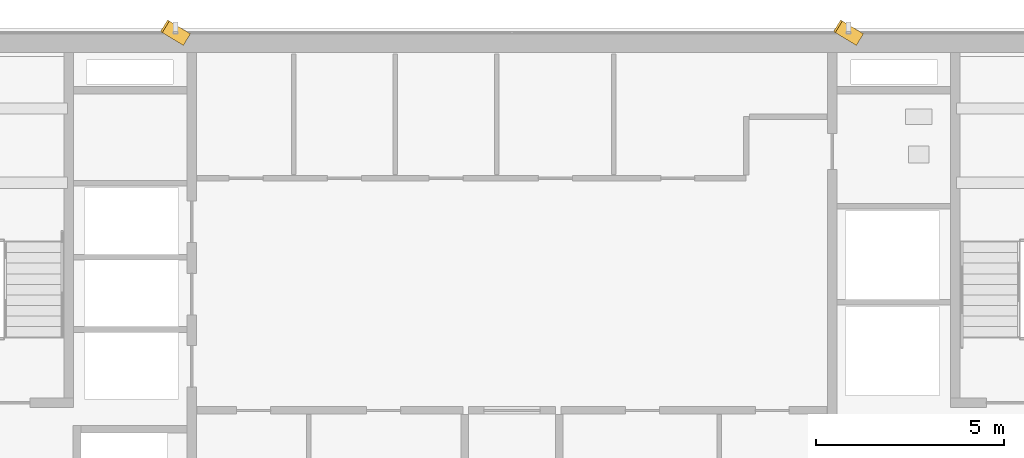
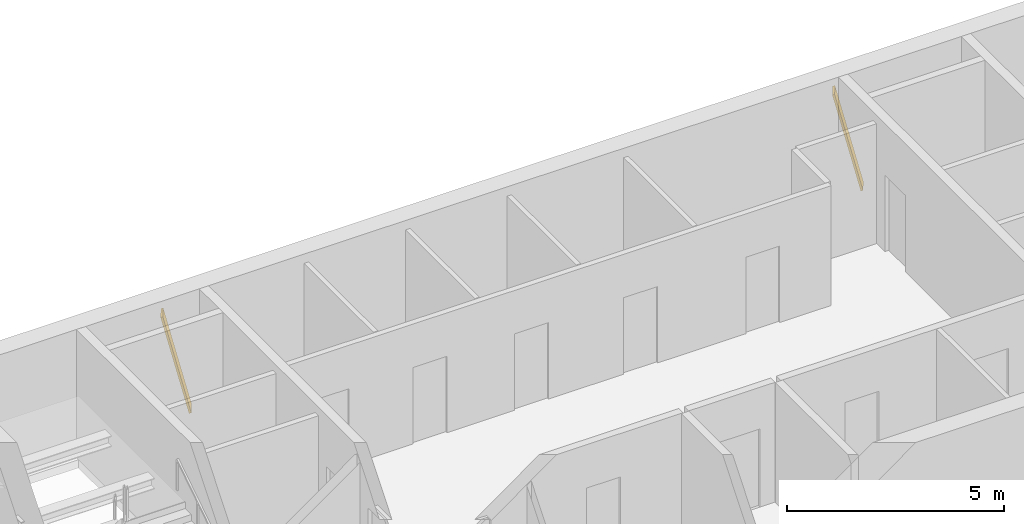
# One storey, part 26 of 27: 2 shading devices.
"""IFC4 building model written with IfcOpenShell, lengths in metres."""

from ifc_helpers import new_model, si_unit, direction, frame, origin, origin_2d, place, context, subcontext, project, spatial, rectangle, extrude, source, transform, mapped, material, material_profile, profile_set, type_object, element, save


model = new_model("IFC4")

# Units and contexts
model_context = context("Model", 3, precision=1e-05, world=origin(), true_north=direction((0.0, 1.0)))
body_context = subcontext(model_context, "Body", "Model", "MODEL_VIEW")
ifc_project = project(units=[si_unit("LENGTHUNIT", "METRE"), si_unit("AREAUNIT", "SQUARE_METRE"), si_unit("VOLUMEUNIT", "CUBIC_METRE"), si_unit("PLANEANGLEUNIT", "RADIAN"), si_unit("MASSUNIT", "GRAM", prefix="KILO")], contexts=[model_context])

# Site, building, storey
site_placement = place(None, origin())
site = spatial("IfcSite", under=ifc_project, at=site_placement, CompositionType="ELEMENT")
building_placement = place(site_placement, origin())
building = spatial("IfcBuilding", under=site, at=building_placement, Name="Sumidabori Civic Tower", CompositionType="ELEMENT")
storey_placement = place(building_placement, frame((0.0, 0.0, 257.60009765625)))
storey = spatial("IfcBuildingStorey", under=building, at=storey_placement, Name="L67", CompositionType="ELEMENT", Elevation=257.60009765625)

# Shading devices
ifc_material = material(Name="Anodised Bronze Aluminium AW-6063-T6", Category="aluminium")
ifc_material_profile = material_profile(ifc_material, rectangle(XDim=0.054931640625, YDim=0.360107421875, at=origin_2d()), Name="BRONZE FIN 360x55")
ifc_profile_set = profile_set([ifc_material_profile], Name="Anodised Bronze Aluminium AW-6063-T6")
shading_device_type = type_object("IfcShadingDeviceType", Name="SH-FIN-360", PredefinedType="USERDEFINED", material=ifc_profile_set)
shared_shape = source(origin(), body_context, "Body", "SweptSolid", [
    extrude(rectangle(XDim=0.054931640625, YDim=0.360107421875, at=origin_2d()), origin(), (0.0, 0.0, 1.0), 2.7685546875),
])
for number, where, z_axis, x_axis, name in (
    (1, (9.215087890625, 23.909912109375, 0.02001953125), (-0.202289930374, 0.122837782481, 0.971591304646), (0.830469701518, -0.504291322674, 0.236665030656), "Bronze Anodised Diagonal Fin L67-01"),
    (2, (-8.655029296875, 23.909912109375, 0.02001953125), (-0.202289930374, 0.122837782481, 0.971591304646), (0.830469701518, -0.504291322674, 0.236665030656), "Bronze Anodised Diagonal Fin L67-03"),
):
    element("IfcShadingDevice", number, at=place(storey_placement, frame(where, z_axis=z_axis, x_axis=x_axis)), inside=storey, type_object=shading_device_type, Name=name, ObjectType="FIN", PredefinedType="USERDEFINED", context=body_context, shape_type="MappedRepresentation", body=[
        mapped(shared_shape, transform((0.0, 0.0, 0.0), x_axis=(1.0, 0.0, 0.0), y_axis=(0.0, 1.0, 0.0), z_axis=(0.0, 0.0, 1.0), scale=1.0)),
    ])

save(model, "model.ifc")
